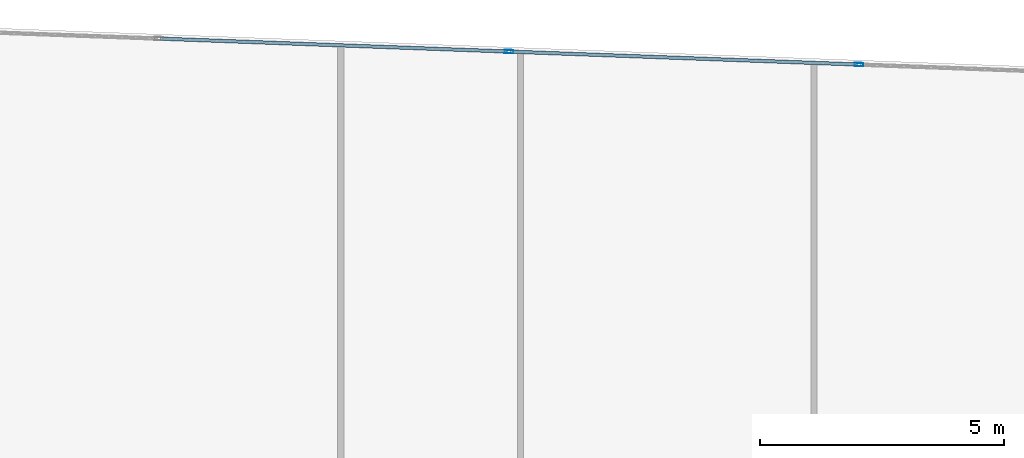
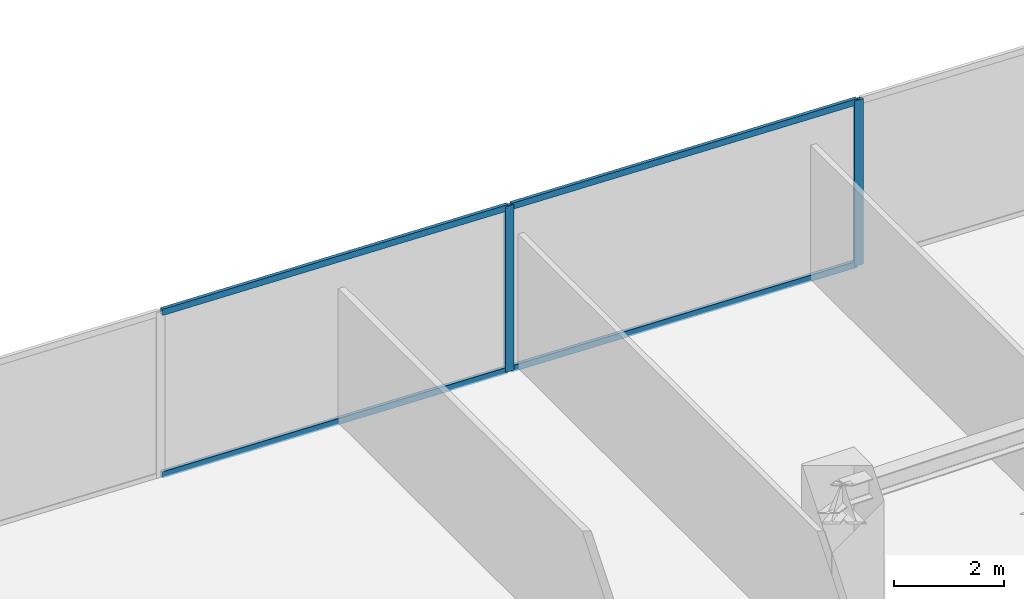
# One storey, part 22 of 30: 6 members, 1 element without a shape of its own.
"""IFC4 building model written with IfcOpenShell, lengths in metres."""

from ifc_helpers import new_model, si_unit, direction, frame, origin, origin_2d, place, context, subcontext, project, spatial, hollow_rectangle, extrude, source, transform, mapped, material, material_profile, profile_set, type_object, type_shapes, element, aggregate, save


model = new_model("IFC4")

# Units and contexts
model_context = context("Model", 3, precision=1e-05, world=origin(), true_north=direction((0.0, 1.0)))
body_context = subcontext(model_context, "Body", "Model", "MODEL_VIEW")
ifc_project = project(units=[si_unit("LENGTHUNIT", "METRE"), si_unit("AREAUNIT", "SQUARE_METRE"), si_unit("VOLUMEUNIT", "CUBIC_METRE"), si_unit("PLANEANGLEUNIT", "RADIAN"), si_unit("MASSUNIT", "GRAM", prefix="KILO")], contexts=[model_context])

# Site, building, storey
site_placement = place(None, origin())
site = spatial("IfcSite", under=ifc_project, at=site_placement, CompositionType="ELEMENT")
building_placement = place(site_placement, origin())
building = spatial("IfcBuilding", under=site, at=building_placement, Name="Krantzveldt Concourse Tower", CompositionType="ELEMENT")
storey_placement = place(building_placement, frame((0.0, 0.0, 36.85009765625)))
storey = spatial("IfcBuildingStorey", under=building, at=storey_placement, Name="L08", CompositionType="ELEMENT", Elevation=36.85009765625)

# Curtain wall, members
ifc_material = material(Name="Anodised aluminium 6063-T6", Category="aluminium")
curtain_wall_type = type_object("IfcCurtainWallType", Name="CW2", PredefinedType="USERDEFINED", material=ifc_material)
curtain_wall_placement = place(storey_placement, origin())
curtain_wall = element("IfcCurtainWall", 1, at=curtain_wall_placement, inside=storey, type_object=curtain_wall_type, Name="CW-L08-F10", ObjectType="UNITISED CURTAIN WALL", PredefinedType="USERDEFINED")
ifc_material_profile_1 = material_profile(ifc_material, hollow_rectangle(XDim=0.070068359375, YDim=0.179931640625, WallThickness=0.0048828125, at=origin_2d()), Name="Anodised aluminium 6063-T6", Category="aluminium")
ifc_profile_set_1 = profile_set([ifc_material_profile_1], Name="Anodised aluminium 6063-T6 - ALU-MULL 180x70x5")
member_type_1 = type_object("IfcMemberType", Name="CW-MUL-180", PredefinedType="MULLION", material=ifc_profile_set_1)
shared_shape_1 = source(origin(), body_context, "Body", "SweptSolid", [
    extrude(hollow_rectangle(XDim=0.070068359375, YDim=0.179931640625, WallThickness=0.0048828125, at=origin_2d()), origin(), (0.0, 0.0, 1.0), 3.669921875),
])
type_shapes(member_type_1, [shared_shape_1])
member_1_placement = place(storey_placement, frame((36.923583984375, 51.5927734375, 0.0), z_axis=(0.0, 0.0, 1.0), x_axis=(-0.037079766834, -0.999312308986, 0.0)))
member_1 = element("IfcMember", 2, at=member_1_placement, type_object=member_type_1, Name="CW-Z12 mullion 4", PredefinedType="MULLION", context=body_context, shape_type="MappedRepresentation", body=[
    mapped(shared_shape_1, transform((0.0, 0.0, 0.0), x_axis=(1.0, 0.0, 0.0), y_axis=(0.0, 1.0, 0.0), z_axis=(0.0, 0.0, 1.0), scale=1.0)),
])
member_2_placement = place(storey_placement, frame((29.761962890625, 51.858642578125, 0.0), z_axis=(0.0, 0.0, 1.0), x_axis=(-0.037079766834, -0.999312308986, 0.0)))
member_2 = element("IfcMember", 3, at=member_2_placement, type_object=member_type_1, Name="CW-Z12 mullion 5", PredefinedType="MULLION", context=body_context, shape_type="MappedRepresentation", body=[
    mapped(shared_shape_1, transform((0.0, 0.0, 0.0), x_axis=(1.0, 0.0, 0.0), y_axis=(0.0, 1.0, 0.0), z_axis=(0.0, 0.0, 1.0), scale=1.0)),
])
ifc_material_profile_2 = material_profile(ifc_material, hollow_rectangle(XDim=0.070068359375, YDim=0.139892578125, WallThickness=0.0048828125, at=origin_2d()), Name="Anodised aluminium 6063-T6", Category="aluminium")
ifc_profile_set_2 = profile_set([ifc_material_profile_2], Name="Anodised aluminium 6063-T6 - ALU-TRAN 140x70x5")
member_type_2 = type_object("IfcMemberType", Name="CW-TRN-150", PredefinedType="USERDEFINED", material=ifc_profile_set_2)
shared_shape_2 = source(origin(), body_context, "Body", "SweptSolid", [
    extrude(hollow_rectangle(XDim=0.070068359375, YDim=0.139892578125, WallThickness=0.0048828125, at=origin_2d()), origin(), (0.0, 0.0, 1.0), 7.0966796875),
])
type_shapes(member_type_2, [shared_shape_2])
member_3_placement = place(storey_placement, frame((36.888671875, 51.59423828125, 0.034912109375), z_axis=(-0.999312097724, 0.037085459975, 0.0), x_axis=(-0.037085459975, -0.999312097724, 0.0)))
member_3 = element("IfcMember", 4, at=member_3_placement, type_object=member_type_2, Name="CW-Z12 transom 4.1", ObjectType="TRANSOM", PredefinedType="USERDEFINED", context=body_context, shape_type="MappedRepresentation", body=[
    mapped(shared_shape_2, transform((0.0, 0.0, 0.0), x_axis=(1.0, 0.0, 0.0), y_axis=(0.0, 1.0, 0.0), z_axis=(0.0, 0.0, 1.0), scale=1.0)),
])
member_4_placement = place(storey_placement, frame((36.888671875, 51.59423828125, 3.635009765625), z_axis=(-0.999312097724, 0.037085459975, 0.0), x_axis=(-0.037085459975, -0.999312097724, 0.0)))
member_4 = element("IfcMember", 5, at=member_4_placement, type_object=member_type_2, Name="CW-Z12 transom 4.2", ObjectType="TRANSOM", PredefinedType="USERDEFINED", context=body_context, shape_type="MappedRepresentation", body=[
    mapped(shared_shape_2, transform((0.0, 0.0, 0.0), x_axis=(1.0, 0.0, 0.0), y_axis=(0.0, 1.0, 0.0), z_axis=(0.0, 0.0, 1.0), scale=1.0)),
])
member_5_placement = place(storey_placement, frame((29.72705078125, 51.85986328125, 0.034912109375), z_axis=(-0.999312097724, 0.037085459975, 0.0), x_axis=(-0.037085459975, -0.999312097724, 0.0)))
member_5 = element("IfcMember", 6, at=member_5_placement, type_object=member_type_2, Name="CW-Z12 transom 5.1", ObjectType="TRANSOM", PredefinedType="USERDEFINED", context=body_context, shape_type="MappedRepresentation", body=[
    mapped(shared_shape_2, transform((0.0, 0.0, 0.0), x_axis=(1.0, 0.0, 0.0), y_axis=(0.0, 1.0, 0.0), z_axis=(0.0, 0.0, 1.0), scale=1.0)),
])
member_6_placement = place(storey_placement, frame((29.72705078125, 51.85986328125, 3.635009765625), z_axis=(-0.999312097724, 0.037085459975, 0.0), x_axis=(-0.037085459975, -0.999312097724, 0.0)))
member_6 = element("IfcMember", 7, at=member_6_placement, type_object=member_type_2, Name="CW-Z12 transom 5.2", ObjectType="TRANSOM", PredefinedType="USERDEFINED", context=body_context, shape_type="MappedRepresentation", body=[
    mapped(shared_shape_2, transform((0.0, 0.0, 0.0), x_axis=(1.0, 0.0, 0.0), y_axis=(0.0, 1.0, 0.0), z_axis=(0.0, 0.0, 1.0), scale=1.0)),
])
aggregate(curtain_wall, [member_1, member_2, member_3, member_4, member_5, member_6])

save(model, "model.ifc")
